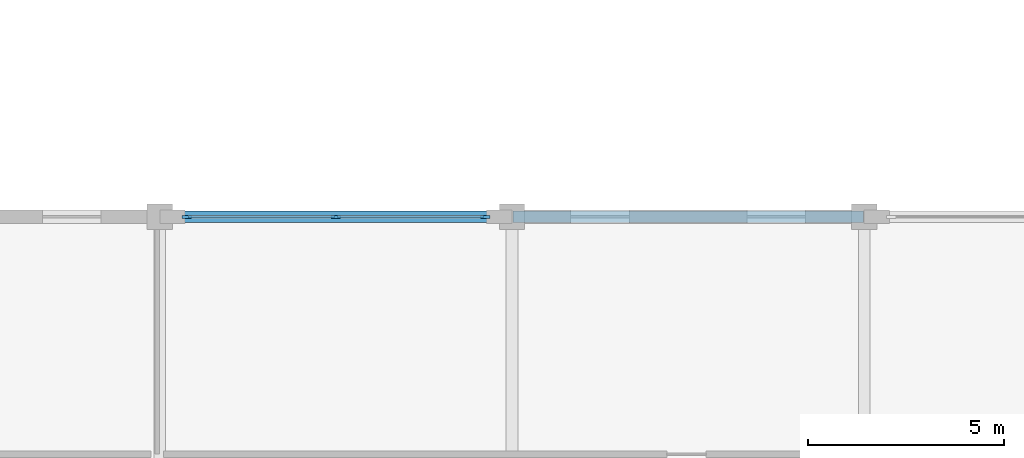
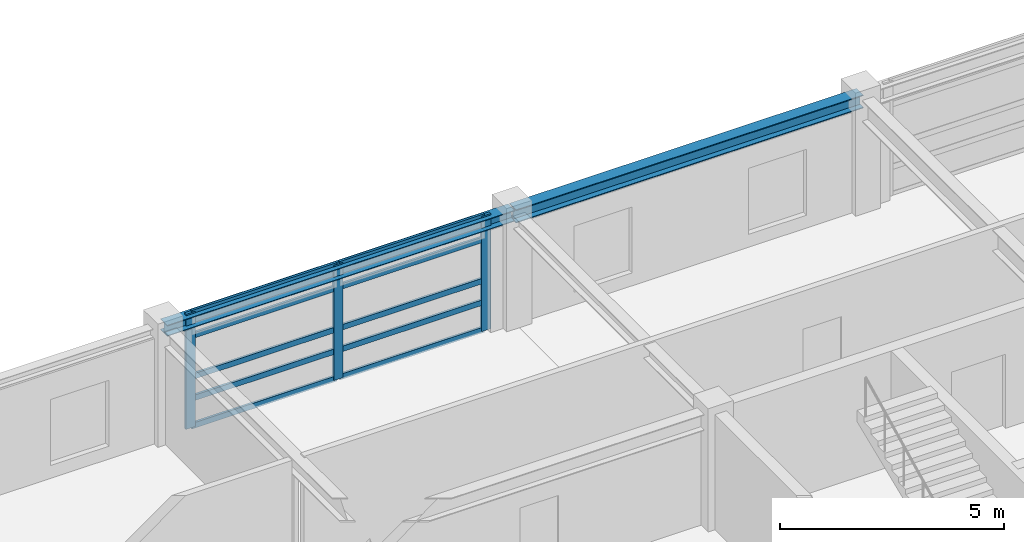
# One storey, part 17 of 91: 13 members, 2 beams, 1 element without a shape of its own.
"""IFC4 building model written with IfcOpenShell, lengths in metres."""

from ifc_helpers import new_model, si_unit, direction, frame, origin, origin_2d, place, context, subcontext, project, spatial, rectangle, i_section, extrude, material, material_profile, profile_set, type_object, element, aggregate, save


model = new_model("IFC4")

# Units and contexts
model_context = context("Model", 3, precision=1e-05, world=origin(), true_north=direction((0.0, 1.0)))
body_context = subcontext(model_context, "Body", "Model", "MODEL_VIEW")
ifc_project = project(units=[si_unit("LENGTHUNIT", "METRE"), si_unit("AREAUNIT", "SQUARE_METRE"), si_unit("VOLUMEUNIT", "CUBIC_METRE"), si_unit("PLANEANGLEUNIT", "RADIAN"), si_unit("MASSUNIT", "GRAM", prefix="KILO")], contexts=[model_context])

# Site, building, storey
site_placement = place(None, origin())
site = spatial("IfcSite", under=ifc_project, at=site_placement, CompositionType="ELEMENT")
building_placement = place(site_placement, origin())
building = spatial("IfcBuilding", under=site, at=building_placement, Name="Palais des Congres Ocreval", CompositionType="ELEMENT")
storey_placement = place(building_placement, frame((0.0, 0.0, 8.159912109375)))
storey = spatial("IfcBuildingStorey", under=building, at=storey_placement, Name="L02", CompositionType="ELEMENT", Elevation=8.159912109375)

# Curtain wall, members
ifc_material_1 = material(Name="Anodized bronze aluminium and low-E glass", Category="glass")
curtain_wall_type = type_object("IfcCurtainWallType", Name="Unitised Curtain Wall 7900x3120", PredefinedType="USERDEFINED", material=ifc_material_1)
curtain_wall_placement = place(storey_placement, origin())
curtain_wall = element("IfcCurtainWall", 1, at=curtain_wall_placement, inside=storey, type_object=curtain_wall_type, Name="Unitised Curtain Wall CW03 L02", ObjectType="UNITISED CURTAIN WALL", PredefinedType="USERDEFINED")
ifc_material_2 = material(Name="Anodized bronze aluminium", Category="aluminium")
ifc_material_profile_1 = material_profile(ifc_material_2, rectangle(XDim=0.074951171875, YDim=0.239990234375, at=origin_2d()), Name="ALU 75x240")
ifc_profile_set_1 = profile_set([ifc_material_profile_1], Name="Anodized bronze aluminium")
member_type_1 = type_object("IfcMemberType", Name="Curtain Wall Mullion ALU 75x240", PredefinedType="MULLION", material=ifc_profile_set_1)
member_1_placement = place(storey_placement, frame((45.6875, 18.0, 0.0), z_axis=(0.0, 0.0, 1.0), x_axis=(0.0, 1.0, 0.0)))
member_1 = element("IfcMember", 2, at=member_1_placement, type_object=member_type_1, Name="Curtain Wall Mullion ML01", PredefinedType="MULLION", context=body_context, shape_type="SweptSolid", body=[
    extrude(rectangle(XDim=0.074951171875, YDim=0.239990234375, at=origin_2d()), origin(), (0.0, 0.0, 1.0), 3.14013671875),
])
member_2_placement = place(storey_placement, frame((49.5, 18.0, 0.0), z_axis=(0.0, 0.0, 1.0), x_axis=(0.0, 1.0, 0.0)))
member_2 = element("IfcMember", 3, at=member_2_placement, type_object=member_type_1, Name="Curtain Wall Mullion ML01", PredefinedType="MULLION", context=body_context, shape_type="SweptSolid", body=[
    extrude(rectangle(XDim=0.074951171875, YDim=0.239990234375, at=origin_2d()), origin(), (0.0, 0.0, 1.0), 3.14013671875),
])
member_3_placement = place(storey_placement, frame((53.3125, 18.0, 0.0), z_axis=(0.0, 0.0, 1.0), x_axis=(0.0, 1.0, 0.0)))
member_3 = element("IfcMember", 4, at=member_3_placement, type_object=member_type_1, Name="Curtain Wall Mullion ML01", PredefinedType="MULLION", context=body_context, shape_type="SweptSolid", body=[
    extrude(rectangle(XDim=0.074951171875, YDim=0.239990234375, at=origin_2d()), origin(), (0.0, 0.0, 1.0), 3.14013671875),
])
ifc_material_profile_2 = material_profile(ifc_material_2, rectangle(XDim=0.06005859375, YDim=0.14990234375, at=origin_2d()), Name="ALU 60x150")
ifc_profile_set_2 = profile_set([ifc_material_profile_2], Name="Anodized bronze aluminium")
member_type_2 = type_object("IfcMemberType", Name="Curtain Wall Transom ALU 60x150", PredefinedType="USERDEFINED", material=ifc_profile_set_2)
member_4_placement = place(storey_placement, frame((45.72509765625, 18.0, 0.030029296875), z_axis=(1.0, 0.0, 0.0), x_axis=(0.0, 1.0, 0.0)))
member_4 = element("IfcMember", 5, at=member_4_placement, type_object=member_type_2, Name="Curtain Wall Transom TR01", ObjectType="TRANSOM", PredefinedType="USERDEFINED", context=body_context, shape_type="SweptSolid", body=[
    extrude(rectangle(XDim=0.06005859375, YDim=0.14990234375, at=origin_2d()), origin(), (0.0, 0.0, 1.0), 3.7373046875),
])
member_5_placement = place(storey_placement, frame((45.72509765625, 18.0, 0.780029296875), z_axis=(1.0, 0.0, 0.0), x_axis=(0.0, 1.0, 0.0)))
member_5 = element("IfcMember", 6, at=member_5_placement, type_object=member_type_2, Name="Curtain Wall Transom TR01", ObjectType="TRANSOM", PredefinedType="USERDEFINED", context=body_context, shape_type="SweptSolid", body=[
    extrude(rectangle(XDim=0.06005859375, YDim=0.14990234375, at=origin_2d()), origin(), (0.0, 0.0, 1.0), 3.7373046875),
])
member_6_placement = place(storey_placement, frame((45.72509765625, 18.0, 1.36962890625), z_axis=(1.0, 0.0, 0.0), x_axis=(0.0, 1.0, 0.0)))
member_6 = element("IfcMember", 7, at=member_6_placement, type_object=member_type_2, Name="Curtain Wall Transom TR01", ObjectType="TRANSOM", PredefinedType="USERDEFINED", context=body_context, shape_type="SweptSolid", body=[
    extrude(rectangle(XDim=0.06005859375, YDim=0.14990234375, at=origin_2d()), origin(), (0.0, 0.0, 1.0), 3.7373046875),
])
member_7_placement = place(storey_placement, frame((45.72509765625, 18.0, 2.489990234375), z_axis=(1.0, 0.0, 0.0), x_axis=(0.0, 1.0, 0.0)))
member_7 = element("IfcMember", 8, at=member_7_placement, type_object=member_type_2, Name="Curtain Wall Transom TR01", ObjectType="TRANSOM", PredefinedType="USERDEFINED", context=body_context, shape_type="SweptSolid", body=[
    extrude(rectangle(XDim=0.06005859375, YDim=0.14990234375, at=origin_2d()), origin(), (0.0, 0.0, 1.0), 3.7373046875),
])
member_8_placement = place(storey_placement, frame((45.72509765625, 18.0, 3.110107421875), z_axis=(1.0, 0.0, 0.0), x_axis=(0.0, 1.0, 0.0)))
member_8 = element("IfcMember", 9, at=member_8_placement, type_object=member_type_2, Name="Curtain Wall Transom TR01", ObjectType="TRANSOM", PredefinedType="USERDEFINED", context=body_context, shape_type="SweptSolid", body=[
    extrude(rectangle(XDim=0.06005859375, YDim=0.14990234375, at=origin_2d()), origin(), (0.0, 0.0, 1.0), 3.7373046875),
])
member_9_placement = place(storey_placement, frame((49.53759765625, 18.0, 0.030029296875), z_axis=(1.0, 0.0, 0.0), x_axis=(0.0, 1.0, 0.0)))
member_9 = element("IfcMember", 10, at=member_9_placement, type_object=member_type_2, Name="Curtain Wall Transom TR01", ObjectType="TRANSOM", PredefinedType="USERDEFINED", context=body_context, shape_type="SweptSolid", body=[
    extrude(rectangle(XDim=0.06005859375, YDim=0.14990234375, at=origin_2d()), origin(), (0.0, 0.0, 1.0), 3.7373046875),
])
member_10_placement = place(storey_placement, frame((49.53759765625, 18.0, 0.780029296875), z_axis=(1.0, 0.0, 0.0), x_axis=(0.0, 1.0, 0.0)))
member_10 = element("IfcMember", 11, at=member_10_placement, type_object=member_type_2, Name="Curtain Wall Transom TR01", ObjectType="TRANSOM", PredefinedType="USERDEFINED", context=body_context, shape_type="SweptSolid", body=[
    extrude(rectangle(XDim=0.06005859375, YDim=0.14990234375, at=origin_2d()), origin(), (0.0, 0.0, 1.0), 3.7373046875),
])
member_11_placement = place(storey_placement, frame((49.53759765625, 18.0, 1.36962890625), z_axis=(1.0, 0.0, 0.0), x_axis=(0.0, 1.0, 0.0)))
member_11 = element("IfcMember", 12, at=member_11_placement, type_object=member_type_2, Name="Curtain Wall Transom TR01", ObjectType="TRANSOM", PredefinedType="USERDEFINED", context=body_context, shape_type="SweptSolid", body=[
    extrude(rectangle(XDim=0.06005859375, YDim=0.14990234375, at=origin_2d()), origin(), (0.0, 0.0, 1.0), 3.7373046875),
])
member_12_placement = place(storey_placement, frame((49.53759765625, 18.0, 2.489990234375), z_axis=(1.0, 0.0, 0.0), x_axis=(0.0, 1.0, 0.0)))
member_12 = element("IfcMember", 13, at=member_12_placement, type_object=member_type_2, Name="Curtain Wall Transom TR01", ObjectType="TRANSOM", PredefinedType="USERDEFINED", context=body_context, shape_type="SweptSolid", body=[
    extrude(rectangle(XDim=0.06005859375, YDim=0.14990234375, at=origin_2d()), origin(), (0.0, 0.0, 1.0), 3.7373046875),
])
member_13_placement = place(storey_placement, frame((49.53759765625, 18.0, 3.110107421875), z_axis=(1.0, 0.0, 0.0), x_axis=(0.0, 1.0, 0.0)))
member_13 = element("IfcMember", 14, at=member_13_placement, type_object=member_type_2, Name="Curtain Wall Transom TR01", ObjectType="TRANSOM", PredefinedType="USERDEFINED", context=body_context, shape_type="SweptSolid", body=[
    extrude(rectangle(XDim=0.06005859375, YDim=0.14990234375, at=origin_2d()), origin(), (0.0, 0.0, 1.0), 3.7373046875),
])
aggregate(curtain_wall, [member_1, member_2, member_3, member_4, member_5, member_6, member_7, member_8, member_9, member_10, member_11, member_12, member_13])

# Beams
ifc_material_3 = material(Name="Steel S355", Category="steel")
ifc_material_profile_3 = material_profile(ifc_material_3, i_section(OverallWidth=0.300048828125, OverallDepth=0.300048828125, WebThickness=0.010986328125, FlangeThickness=0.01904296875, at=origin_2d()), Name="HEB 300")
ifc_profile_set_3 = profile_set([ifc_material_profile_3], Name="Steel S355")
beam_type_1 = type_object("IfcBeamType", Name="Perimeter Spandrel HEB 300 Steel S355", PredefinedType="SPANDREL", material=ifc_profile_set_3)
beam_1_placement = place(storey_placement, frame((45.02001953125, 18.0, 2.9501953125), z_axis=(1.0, 0.0, 0.0), x_axis=(0.0, 1.0, 0.0)))
element("IfcBeam", 15, at=beam_1_placement, inside=storey, type_object=beam_type_1, Name="Beam SP02 L02", PredefinedType="SPANDREL", context=body_context, shape_type="SweptSolid", body=[
    extrude(i_section(OverallWidth=0.300048828125, OverallDepth=0.300048828125, WebThickness=0.010986328125, FlangeThickness=0.01904296875, at=origin_2d()), origin(), (0.0, 0.0, 1.0), 8.9599609375),
])
ifc_material_profile_4 = material_profile(ifc_material_3, i_section(OverallWidth=0.300048828125, OverallDepth=0.360107421875, WebThickness=0.012451171875, FlangeThickness=0.0224609375, at=origin_2d()), Name="HEB 360")
ifc_profile_set_4 = profile_set([ifc_material_profile_4], Name="Steel S355")
beam_type_2 = type_object("IfcBeamType", Name="Perimeter Spandrel HEB 360 Steel S355", PredefinedType="SPANDREL", material=ifc_profile_set_4)
beam_2_placement = place(storey_placement, frame((54.02001953125, 18.0, 2.920166015625), z_axis=(1.0, 0.0, 0.0), x_axis=(0.0, 1.0, 0.0)))
element("IfcBeam", 16, at=beam_2_placement, inside=storey, type_object=beam_type_2, Name="Beam SP03 L02", PredefinedType="SPANDREL", context=body_context, shape_type="SweptSolid", body=[
    extrude(i_section(OverallWidth=0.300048828125, OverallDepth=0.360107421875, WebThickness=0.012451171875, FlangeThickness=0.0224609375, at=origin_2d()), origin(), (0.0, 0.0, 1.0), 8.9599609375),
])

save(model, "model.ifc")
